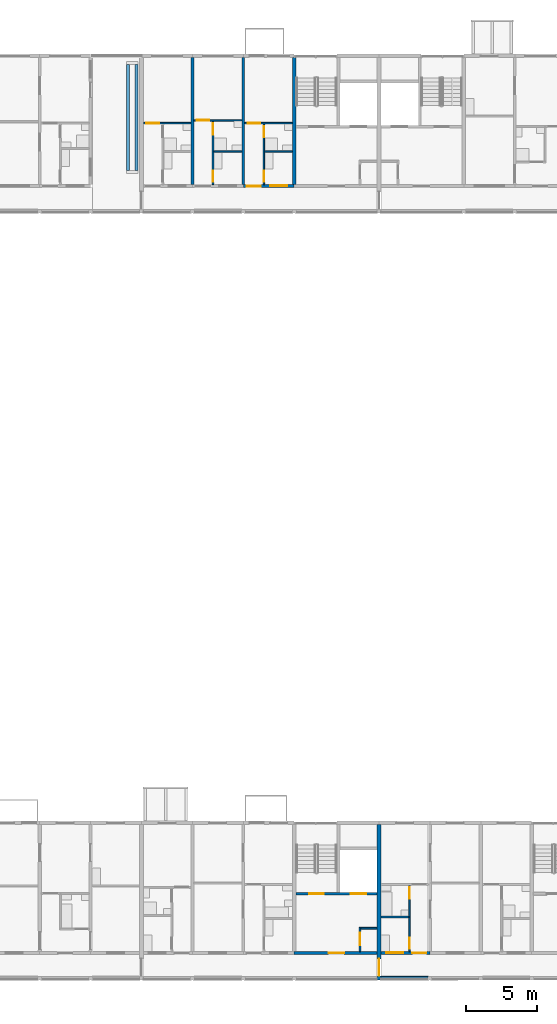
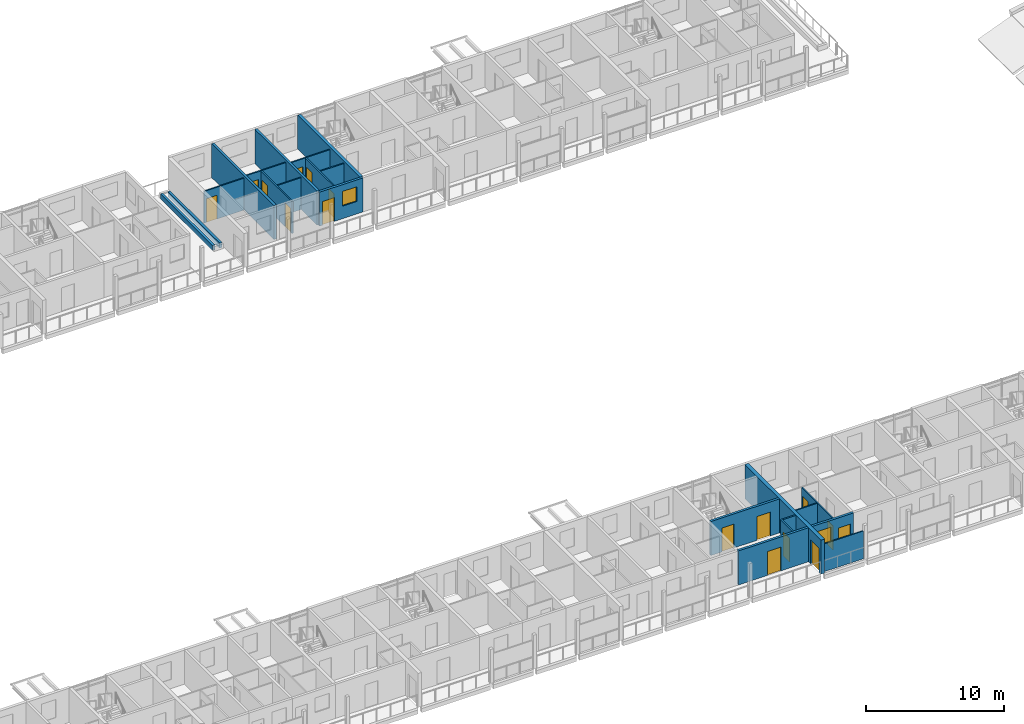
# One storey, part 37 of 93: 22 walls, 16 doors, 2 windows, 18 openings.
"""IFC4 building model written with IfcOpenShell, lengths in metres."""

import ifcopenshell
import ifcopenshell.guid

model = None  # the IFC model being written
_history = None  # IfcOwnerHistory: only IFC2X3 demands one
_inside = {}  # id of a spatial element -> (the spatial element, [elements in it])
_under = {}  # id of a project, library or spatial element -> (it, [spatial elements below it])
_declared = {}  # id of a project -> (the project, [libraries it declares])
_typed = {}  # id of a type object -> (the type object, [elements of that type])
_made_of = {}  # id of a material, layer set ... -> (it, [elements and type objects made of it])


def new_model(schema):
    """Start an empty IFC model of exactly this schema.

    Asked for "IFC4X3", IfcOpenShell would pick the latest addendum, in which some entities
    have other attributes; the version numbers below select the first issue.
    IFC2X3 requires an IfcOwnerHistory on every rooted entity: one is made here for all.
    """
    global model, _history
    if schema == "IFC4X3":
        model = ifcopenshell.file(schema_version=(4, 3, 0, 0))
    else:
        model = ifcopenshell.file(schema=schema)
    _inside.clear()
    _under.clear()
    _declared.clear()
    _typed.clear()
    _made_of.clear()
    _history = None
    if model.schema == "IFC2X3":
        org = make("IfcOrganization", Name="unknown")
        user = make(
            "IfcPersonAndOrganization",
            ThePerson=make("IfcPerson", FamilyName="unknown"),
            TheOrganization=org,
        )
        app = make(
            "IfcApplication",
            ApplicationDeveloper=org,
            Version="unknown",
            ApplicationFullName="unknown",
            ApplicationIdentifier="unknown",
        )
        _history = make(
            "IfcOwnerHistory",
            OwningUser=user,
            OwningApplication=app,
            ChangeAction="ADDED",
            CreationDate=0,
        )
    return model


def make(cls, **values):
    """One entity of the class cls with the attributes given. An attribute that is None is left unset."""
    return model.create_entity(
        cls, **{name: value for name, value in values.items() if value is not None}
    )


def rooted(cls, **values):
    """An entity with a GlobalId (a new one), such as an element, a storey or a relation."""
    return make(cls, GlobalId=ifcopenshell.guid.new(), OwnerHistory=_history, **values)


def si_unit(unit_type, name, prefix=None):
    """IfcSIUnit, for example si_unit("LENGTHUNIT", "METRE", prefix="MILLI")."""
    return make("IfcSIUnit", UnitType=unit_type, Prefix=prefix, Name=name)


def assignment(units):
    """IfcUnitAssignment: the units of a project."""
    return None if units is None else make("IfcUnitAssignment", Units=units)


def point(xyz):
    """IfcCartesianPoint."""
    return None if xyz is None else make("IfcCartesianPoint", Coordinates=xyz)


def direction(xyz):
    """IfcDirection."""
    return None if xyz is None else make("IfcDirection", DirectionRatios=xyz)


def frame(location, z_axis=None, x_axis=None):
    """IfcAxis2Placement3D, a coordinate frame: its origin and axes. An axis left out is left unset."""
    return make(
        "IfcAxis2Placement3D",
        Location=point(location),
        Axis=direction(z_axis),
        RefDirection=direction(x_axis),
    )


def frame_2d(location, x_axis=None):
    """IfcAxis2Placement2D, a coordinate frame in the plane: its origin and x axis."""
    return make(
        "IfcAxis2Placement2D", Location=point(location), RefDirection=direction(x_axis)
    )


def origin():
    """The frame at (0, 0, 0) with its axes left unset."""
    return frame((0.0, 0.0, 0.0))


def place(relative_to, where):
    """IfcLocalPlacement: puts the frame where relative to a parent placement (None: the world)."""
    return make(
        "IfcLocalPlacement", PlacementRelTo=relative_to, RelativePlacement=where
    )


def context(
    kind, dimensions, precision=None, world=None, true_north=None, identifier=None
):
    """IfcGeometricRepresentationContext, for example the 3D "Model" context."""
    return make(
        "IfcGeometricRepresentationContext",
        ContextIdentifier=identifier,
        ContextType=kind,
        CoordinateSpaceDimension=dimensions,
        Precision=precision,
        WorldCoordinateSystem=world,
        TrueNorth=true_north,
    )


def subcontext(parent, identifier, kind, view, scale=None):
    """IfcGeometricRepresentationSubContext, for example "Body" below "Model"."""
    return make(
        "IfcGeometricRepresentationSubContext",
        ContextIdentifier=identifier,
        ContextType=kind,
        ParentContext=parent,
        TargetScale=scale,
        TargetView=view,
    )


def project(units=None, contexts=None):
    """IfcProject with its units and contexts."""
    return rooted(
        "IfcProject",
        Name="project",
        RepresentationContexts=contexts,
        UnitsInContext=assignment(units),
    )


def spatial(cls, under=None, at=None, **own):
    """A site, building, storey or space (cls), placed at a placement, below another one or the project."""
    s = rooted(cls, ObjectPlacement=at, **own)
    if under is not None:
        _under.setdefault(under.id(), (under, []))[1].append(s)
    return s


def profile(cls, at=None, kind="AREA", **sizes):
    """A parametric profile (cls). Its sizes go by their IFC names, for example OverallWidth=200.0."""
    return make(cls, ProfileType=kind, Position=at, **sizes)


def rectangle(**sizes):
    """IfcRectangleProfileDef."""
    return profile("IfcRectangleProfileDef", **sizes)


def extrude(swept, where, along, depth):
    """IfcExtrudedAreaSolid: the profile swept, set in the frame where, extruded along a direction by depth."""
    return make(
        "IfcExtrudedAreaSolid",
        SweptArea=swept,
        Position=where,
        ExtrudedDirection=direction(along),
        Depth=depth,
    )


def shape(context_of_items, identifier, shape_type, items):
    """IfcShapeRepresentation: the items that make up one representation, for example the "Body"."""
    return make(
        "IfcShapeRepresentation",
        ContextOfItems=context_of_items,
        RepresentationIdentifier=identifier,
        RepresentationType=shape_type,
        Items=items,
    )


def material(Name=None, Category=None):
    """IfcMaterial."""
    return make("IfcMaterial", Name=Name, Category=Category)


def layer(
    of_material, thickness, ventilated=None, Name=None, Category=None, Priority=None
):
    """IfcMaterialLayer: one layer of a wall or slab, of a material (None: an air gap)."""
    return make(
        "IfcMaterialLayer",
        Material=of_material,
        LayerThickness=thickness,
        IsVentilated=ventilated,
        Name=Name,
        Category=Category,
        Priority=Priority,
    )


def layer_set(layers, Name=None):
    """IfcMaterialLayerSet."""
    return make("IfcMaterialLayerSet", MaterialLayers=layers, LayerSetName=Name)


def made_of(thing, what):
    """Note that an element or type object is made of a material, layer set ...; save() writes the relation."""
    if what is not None:
        _made_of.setdefault(what.id(), (what, []))[1].append(thing)
    return thing


def type_object(cls, material=None, **own):
    """A type object (cls), such as IfcWallType, which elements share."""
    return made_of(rooted(cls, **own), material)


def element(
    cls,
    number,
    at=None,
    inside=None,
    cuts=None,
    type_object=None,
    material=None,
    context=None,
    identifier="Body",
    shape_type=None,
    held_by="IfcProductDefinitionShape",
    body=None,
    shapes=None,
    **own,
):
    """One element of the class cls, such as IfcWall. Its Tag is "e" and its number.

    at: its placement. inside: the storey or other place that contains it. cuts: it is an
    opening in that element (IfcRelVoidsElement). A single representation is given by context,
    identifier, shape_type and body (its items); several are given by shapes. held_by: the class
    of the entity that holds the representations. save() writes the other relations.
    """
    e = rooted(cls, Tag="e%d" % number, ObjectPlacement=at, **own)
    if body is not None:
        shapes = [shape(context, identifier, shape_type, body)]
    if shapes is not None:
        e.Representation = make(held_by, Representations=shapes)
    if inside is not None:
        _inside.setdefault(inside.id(), (inside, []))[1].append(e)
    if cuts is not None:
        rooted(
            "IfcRelVoidsElement", RelatingBuildingElement=cuts, RelatedOpeningElement=e
        )
    if type_object is not None:
        _typed.setdefault(type_object.id(), (type_object, []))[1].append(e)
    return made_of(e, material)


def fill(opening, filler):
    """IfcRelFillsElement: the door or window that sits in an opening."""
    return rooted(
        "IfcRelFillsElement",
        RelatingOpeningElement=opening,
        RelatedBuildingElement=filler,
    )


def aggregate(whole, parts):
    """IfcRelAggregates: a whole, such as a stair, and the parts it consists of."""
    return rooted("IfcRelAggregates", RelatingObject=whole, RelatedObjects=parts)


def save(model, path):
    """Write the relations noted so far, then the file.

    IfcRelAggregates (storeys below a building ...), IfcRelContainedInSpatialStructure (elements
    in a storey), IfcRelDefinesByType, IfcRelAssociatesMaterial and IfcRelDeclares: one each for
    every whole, place, type object, material and project.
    """
    for whole, parts in _under.values():
        aggregate(whole, parts)
    for where, things in _inside.values():
        rooted(
            "IfcRelContainedInSpatialStructure",
            RelatedElements=things,
            RelatingStructure=where,
        )
    for kind, things in _typed.values():
        rooted("IfcRelDefinesByType", RelatedObjects=things, RelatingType=kind)
    for what, things in _made_of.values():
        rooted("IfcRelAssociatesMaterial", RelatedObjects=things, RelatingMaterial=what)
    for by, libraries in _declared.values():
        rooted("IfcRelDeclares", RelatingContext=by, RelatedDefinitions=libraries)
    model.write(path)


model = new_model("IFC4")

# Units and contexts
model_context = context("Model", 3, precision=1e-05, world=origin(), true_north=direction((0.0, 1.0)))
body_context = subcontext(model_context, "Body", "Model", "MODEL_VIEW")
ifc_project = project(units=[si_unit("LENGTHUNIT", "METRE"), si_unit("AREAUNIT", "SQUARE_METRE"), si_unit("VOLUMEUNIT", "CUBIC_METRE"), si_unit("PLANEANGLEUNIT", "RADIAN"), si_unit("MASSUNIT", "GRAM", prefix="KILO")], contexts=[model_context])

# Site, building, storey
site_placement = place(None, origin())
site = spatial("IfcSite", under=ifc_project, at=site_placement, CompositionType="ELEMENT")
building_placement = place(site_placement, origin())
building = spatial("IfcBuilding", under=site, at=building_placement, Name="Ridgestep Commons", CompositionType="ELEMENT")
storey_placement = place(building_placement, frame((0.0, 0.0, 18.0)))
storey = spatial("IfcBuildingStorey", under=building, at=storey_placement, Name="L06", CompositionType="ELEMENT", Elevation=18.0)

# Wall
ifc_material_1 = material(Name="Concrete C30/37", Category="concrete")
ifc_layer_1 = layer(ifc_material_1, 0.25)
ifc_layer_set_1 = layer_set([ifc_layer_1], Name="Core cross wall 250")
wall_type_1 = type_object("IfcWallType", Name="Core cross wall 250", PredefinedType="SHEAR", material=ifc_layer_set_1)
wall_1_placement = place(storey_placement, frame((73.199951171875, 68.0, 0.0), z_axis=(0.0, 0.0, 1.0), x_axis=(0.0, 1.0, 0.0)))
element("IfcWall", 1, at=wall_1_placement, inside=storey, type_object=wall_type_1, Name="Cross wall B-06-0732", PredefinedType="SHEAR", context=body_context, shape_type="SweptSolid", body=[
    extrude(rectangle(XDim=9.0, YDim=0.25, at=frame_2d((4.5, 0.0))), origin(), (0.0, 0.0, 1.0), 3.0),
])

# Wall, opening, door
ifc_material_2 = material(Name="Concrete C30/37", Category="concrete")
ifc_layer_2 = layer(ifc_material_2, 0.199951171875)
ifc_layer_set_2 = layer_set([ifc_layer_2], Name="Core south wall 200")
wall_type_2 = type_object("IfcWallType", Name="Core south wall 200", PredefinedType="SHEAR", material=ifc_layer_set_2)
wall_2_placement = place(storey_placement, frame((73.199951171875, 13.64990234375, 0.0), z_axis=(0.0, 0.0, 1.0), x_axis=(1.0, 0.0, 0.0)))
wall_2 = element("IfcWall", 2, at=wall_2_placement, inside=storey, type_object=wall_type_2, Name="Core south wall A4C L06", PredefinedType="SHEAR", context=body_context, shape_type="SweptSolid", body=[
    extrude(rectangle(XDim=5.85009765625, YDim=0.199951171875, at=frame_2d((2.925048828125, 0.0))), origin(), (0.0, 0.0, 1.0), 3.0),
])
opening_1_placement = place(wall_2_placement, frame((2.4375, 0.0, 0.0)))
opening_1 = element("IfcOpeningElement", 3, at=opening_1_placement, cuts=wall_2, Name="Opening A4C/06/1", PredefinedType="OPENING", context=body_context, shape_type="SweptSolid", body=[
    extrude(rectangle(XDim=1.10009765625, YDim=2.10009765625, at=frame_2d((0.550048828125, 1.050048828125))), frame((0.0, 0.10986328125, 0.0), z_axis=(0.0, -1.0, 0.0), x_axis=(1.0, 0.0, 0.0)), (0.0, 0.0, 1.0), 0.219970703125),
])
ifc_material_3 = material(Name="Steel fire door", Category="steel")
door_type_1 = type_object("IfcDoorType", Name="Lobby door 1100 x 2100 FD60", OperationType="NOTDEFINED", PredefinedType="DOOR", material=ifc_material_3)
door_1_placement = place(opening_1_placement, origin())
door_1 = element("IfcDoor", 4, at=door_1_placement, inside=storey, type_object=door_type_1, Name="Lobby door A4C/06/1", OperationType="SINGLE_SWING_LEFT", OverallHeight=2.10009765625, OverallWidth=1.10009765625, PredefinedType="DOOR", context=body_context, shape_type="SweptSolid", body=[
    extrude(rectangle(XDim=1.10009765625, YDim=2.10009765625, at=frame_2d((0.550048828125, 1.050048828125))), frame((0.0, 0.02490234375, 0.0), z_axis=(0.0, -1.0, 0.0), x_axis=(1.0, 0.0, 0.0)), (0.0, 0.0, 1.0), 0.050048828125),
])
fill(opening_1, door_1)

ifc_material_4 = material(Name="Concrete C30/37", Category="concrete")
ifc_layer_3 = layer(ifc_material_4, 0.1201171875)
ifc_layer_set_3 = layer_set([ifc_layer_3], Name="Core wall 120")
wall_type_3 = type_object("IfcWallType", Name="Core wall 120", PredefinedType="SHEAR", material=ifc_layer_set_3)
wall_3_placement = place(storey_placement, frame((77.860107421875, 13.75, 0.0), z_axis=(0.0, 0.0, 1.0), x_axis=(0.0, 1.0, 0.0)))
wall_3 = element("IfcWall", 5, at=wall_3_placement, inside=storey, type_object=wall_type_3, Name="Core riser w wall A4C L06", PredefinedType="SHEAR", context=body_context, shape_type="SweptSolid", body=[
    extrude(rectangle(XDim=1.719970703125, YDim=0.1201171875, at=frame_2d((0.85986328125, 0.0))), origin(), (0.0, 0.0, 1.0), 3.0),
])
opening_2_placement = place(wall_3_placement, frame((0.449951171875, 0.0, 0.0)))
opening_2 = element("IfcOpeningElement", 6, at=opening_2_placement, cuts=wall_3, Name="Opening A4C/06/4", PredefinedType="OPENING", context=body_context, shape_type="SweptSolid", body=[
    extrude(rectangle(XDim=0.89990234375, YDim=2.10009765625, at=frame_2d((0.449951171875, 1.050048828125))), frame((0.0, 0.070068359375, 0.0), z_axis=(0.0, -1.0, 0.0), x_axis=(1.0, 0.0, 0.0)), (0.0, 0.0, 1.0), 0.14013671875),
])
ifc_material_5 = material(Name="Steel fire door", Category="steel")
door_type_2 = type_object("IfcDoorType", Name="Riser door 900 x 2100 FD60", OperationType="NOTDEFINED", PredefinedType="DOOR", material=ifc_material_5)
door_2_placement = place(opening_2_placement, origin())
door_2 = element("IfcDoor", 7, at=door_2_placement, inside=storey, type_object=door_type_2, Name="Riser door A4C/06/4", OperationType="SINGLE_SWING_LEFT", OverallHeight=2.10009765625, OverallWidth=0.89990234375, PredefinedType="DOOR", context=body_context, shape_type="SweptSolid", body=[
    extrude(rectangle(XDim=0.89990234375, YDim=2.10009765625, at=frame_2d((0.449951171875, 1.050048828125))), frame((0.0, 0.02490234375, 0.0), z_axis=(0.0, -1.0, 0.0), x_axis=(1.0, 0.0, 0.0)), (0.0, 0.0, 1.0), 0.050048828125),
])
fill(opening_2, door_2)

# Wall
wall_4_placement = place(storey_placement, frame((77.919921875, 15.409912109375, 0.0), z_axis=(0.0, 0.0, 1.0), x_axis=(1.0, 0.0, 0.0)))
element("IfcWall", 8, at=wall_4_placement, inside=storey, type_object=wall_type_3, Name="Core riser n wall A4C L06", PredefinedType="SHEAR", context=body_context, shape_type="SweptSolid", body=[
    extrude(rectangle(XDim=1.130126953125, YDim=0.1201171875, at=frame_2d((0.56494140625, 0.0))), origin(), (0.0, 0.0, 1.0), 3.0),
])

# Wall, openings, doors
ifc_material_6 = material(Name="Concrete C30/37", Category="concrete")
ifc_layer_4 = layer(ifc_material_6, 0.199951171875)
ifc_layer_set_4 = layer_set([ifc_layer_4], Name="Core wall 200")
wall_type_4 = type_object("IfcWallType", Name="Core wall 200", PredefinedType="SHEAR", material=ifc_layer_set_4)
wall_5_placement = place(storey_placement, frame((73.324951171875, 17.85009765625, 0.0), z_axis=(0.0, 0.0, 1.0), x_axis=(1.0, 0.0, 0.0)))
wall_5 = element("IfcWall", 9, at=wall_5_placement, inside=storey, type_object=wall_type_4, Name="Core lobby wall A4C L06", PredefinedType="SHEAR", context=body_context, shape_type="SweptSolid", body=[
    extrude(rectangle(XDim=5.72509765625, YDim=0.199951171875, at=frame_2d((2.862548828125, 0.0))), origin(), (0.0, 0.0, 1.0), 3.0),
])
opening_3_placement = place(wall_5_placement, frame((0.949951171875, 0.0, 0.0)))
opening_3 = element("IfcOpeningElement", 10, at=opening_3_placement, cuts=wall_5, Name="Opening A4C/06/2", PredefinedType="OPENING", context=body_context, shape_type="SweptSolid", body=[
    extrude(rectangle(XDim=1.0, YDim=2.10009765625, at=frame_2d((0.5, 1.050048828125))), frame((0.0, 0.10986328125, 0.0), z_axis=(0.0, -1.0, 0.0), x_axis=(1.0, 0.0, 0.0)), (0.0, 0.0, 1.0), 0.219970703125),
])
opening_4_placement = place(wall_5_placement, frame((3.862548828125, 0.0, 0.0)))
opening_4 = element("IfcOpeningElement", 11, at=opening_4_placement, cuts=wall_5, Name="Opening A4C/06/3", PredefinedType="OPENING", context=body_context, shape_type="SweptSolid", body=[
    extrude(rectangle(XDim=1.10009765625, YDim=2.10009765625, at=frame_2d((0.550048828125, 1.050048828125))), frame((0.0, 0.10986328125, 0.0), z_axis=(0.0, -1.0, 0.0), x_axis=(1.0, 0.0, 0.0)), (0.0, 0.0, 1.0), 0.219970703125),
])
ifc_material_7 = material(Name="Stainless steel", Category="steel")
door_type_3 = type_object("IfcDoorType", Name="Lift landing door 1100 x 2100 FD60", OperationType="DOUBLE_DOOR_SLIDING", PredefinedType="DOOR", material=ifc_material_7)
door_3_placement = place(opening_4_placement, origin())
door_3 = element("IfcDoor", 12, at=door_3_placement, inside=storey, type_object=door_type_3, Name="Landing door LD A4C L06", OperationType="DOUBLE_DOOR_SLIDING", OverallHeight=2.10009765625, OverallWidth=1.10009765625, PredefinedType="DOOR", context=body_context, shape_type="SweptSolid", body=[
    extrude(rectangle(XDim=1.10009765625, YDim=2.10009765625, at=frame_2d((0.550048828125, 1.050048828125))), frame((0.0, 0.02490234375, 0.0), z_axis=(0.0, -1.0, 0.0), x_axis=(1.0, 0.0, 0.0)), (0.0, 0.0, 1.0), 0.050048828125),
])
fill(opening_4, door_3)
ifc_material_8 = material(Name="Steel fire door", Category="steel")
door_type_4 = type_object("IfcDoorType", Name="Stair door 1000 x 2100 FD60", OperationType="NOTDEFINED", PredefinedType="DOOR", material=ifc_material_8)
door_4_placement = place(opening_3_placement, origin())
door_4 = element("IfcDoor", 13, at=door_4_placement, inside=storey, type_object=door_type_4, Name="Stair door A4C/06/2", OperationType="SINGLE_SWING_RIGHT", OverallHeight=2.10009765625, OverallWidth=1.0, PredefinedType="DOOR", context=body_context, shape_type="SweptSolid", body=[
    extrude(rectangle(XDim=1.0, YDim=2.10009765625, at=frame_2d((0.5, 1.050048828125))), frame((0.0, 0.02490234375, 0.0), z_axis=(0.0, -1.0, 0.0), x_axis=(1.0, 0.0, 0.0)), (0.0, 0.0, 1.0), 0.050048828125),
])
fill(opening_3, door_4)

# Walls
ifc_material_9 = material(Name="Precast concrete C40/50", Category="concrete")
ifc_layer_5 = layer(ifc_material_9, 0.199951171875)
ifc_layer_set_5 = layer_set([ifc_layer_5], Name="Cross wall 200")
wall_type_5 = type_object("IfcWallType", Name="Cross wall 200", PredefinedType="SHEAR", material=ifc_layer_set_5)
for number, where, z_axis, x_axis, name in (
    (14, (66.0, 68.0, 0.0), (0.0, 0.0, 1.0), (0.0, 1.0, 0.0), "Cross wall B-06-0660"),
    (15, (69.60009765625, 68.0, 0.0), (0.0, 0.0, 1.0), (0.0, 1.0, 0.0), "Cross wall B-06-0696"),
):
    element("IfcWall", number, at=place(storey_placement, frame(where, z_axis=z_axis, x_axis=x_axis)), inside=storey, type_object=wall_type_5, Name=name, PredefinedType="SHEAR", context=body_context, shape_type="SweptSolid", body=[
        extrude(rectangle(XDim=9.0, YDim=0.199951171875, at=frame_2d((4.5, 0.0))), origin(), (0.0, 0.0, 1.0), 3.0),
    ])

# Wall, opening, door
ifc_material_10 = material(Name="Precast concrete C40/50", Category="concrete")
ifc_layer_6 = layer(ifc_material_10, 0.300048828125)
ifc_layer_set_6 = layer_set([ifc_layer_6], Name="Division wall 300")
wall_type_6 = type_object("IfcWallType", Name="Division wall 300", PredefinedType="SHEAR", material=ifc_layer_set_6)
wall_6_placement = place(storey_placement, frame((79.199951171875, 11.75, 0.0), z_axis=(0.0, 0.0, 1.0), x_axis=(0.0, 1.0, 0.0)))
wall_6 = element("IfcWall", 16, at=wall_6_placement, inside=storey, type_object=wall_type_6, Name="Cross wall A-06-0792", PredefinedType="SHEAR", context=body_context, shape_type="SweptSolid", body=[
    extrude(rectangle(XDim=11.0, YDim=0.300048828125, at=frame_2d((5.5, 0.0))), origin(), (0.0, 0.0, 1.0), 3.0),
])
opening_5_placement = place(wall_6_placement, frame((0.300048828125, 0.0, 0.0)))
opening_5 = element("IfcOpeningElement", 17, at=opening_5_placement, cuts=wall_6, Name="Opening A/06/G0792", PredefinedType="OPENING", context=body_context, shape_type="SweptSolid", body=[
    extrude(rectangle(XDim=1.199951171875, YDim=2.10009765625, at=frame_2d((0.60009765625, 1.050048828125))), frame((0.0, 0.159912109375, 0.0), z_axis=(0.0, -1.0, 0.0), x_axis=(1.0, 0.0, 0.0)), (0.0, 0.0, 1.0), 0.320068359375),
])
ifc_material_11 = material(Name="Steel fire door", Category="steel")
door_type_5 = type_object("IfcDoorType", Name="Division fire door 1200 x 2100 EI 240", OperationType="DOUBLE_DOOR_SINGLE_SWING", PredefinedType="DOOR", material=ifc_material_11)
door_5_placement = place(opening_5_placement, origin())
door_5 = element("IfcDoor", 18, at=door_5_placement, inside=storey, type_object=door_type_5, Name="Division fire door A/06/G0792", OperationType="DOUBLE_DOOR_SINGLE_SWING", OverallHeight=2.10009765625, OverallWidth=1.199951171875, PredefinedType="DOOR", context=body_context, shape_type="SweptSolid", body=[
    extrude(rectangle(XDim=1.199951171875, YDim=2.10009765625, at=frame_2d((0.60009765625, 1.050048828125))), frame((0.0, 0.02490234375, 0.0), z_axis=(0.0, -1.0, 0.0), x_axis=(1.0, 0.0, 0.0)), (0.0, 0.0, 1.0), 0.050048828125),
])
fill(opening_5, door_5)

# Wall
ifc_material_12 = material(Name="Common brick 110 mm", Category="masonry")
ifc_layer_7 = layer(ifc_material_12, 0.110107421875)
ifc_layer_set_7 = layer_set([ifc_layer_7], Name="Partition 110")
wall_type_7 = type_object("IfcWallType", Name="Partition 110", PredefinedType="PARTITIONING", material=ifc_layer_set_7)
wall_7_placement = place(storey_placement, frame((79.35009765625, 16.205078125, 0.0), z_axis=(0.0, 0.0, 1.0), x_axis=(1.0, 0.0, 0.0)))
element("IfcWall", 19, at=wall_7_placement, inside=storey, type_object=wall_type_7, Name="Partition A5-06a", PredefinedType="PARTITIONING", context=body_context, shape_type="SweptSolid", body=[
    extrude(rectangle(XDim=1.93994140625, YDim=0.110107421875, at=frame_2d((0.969970703125, 0.0))), origin(), (0.0, 0.0, 1.0), 2.800048828125),
])

# Wall, openings, doors
wall_8_placement = place(storey_placement, frame((81.344970703125, 13.75, 0.0), z_axis=(0.0, 0.0, 1.0), x_axis=(0.0, 1.0, 0.0)))
wall_8 = element("IfcWall", 20, at=wall_8_placement, inside=storey, type_object=wall_type_7, Name="Partition A5-06a", PredefinedType="PARTITIONING", context=body_context, shape_type="SweptSolid", body=[
    extrude(rectangle(XDim=4.699951171875, YDim=0.110107421875, at=frame_2d((2.35009765625, 0.0))), origin(), (0.0, 0.0, 1.0), 2.800048828125),
])
opening_6_placement = place(wall_8_placement, frame((0.199951171875, 0.0, 0.0)))
opening_6 = element("IfcOpeningElement", 21, at=opening_6_placement, cuts=wall_8, Name="Opening A5-06a/2", PredefinedType="OPENING", context=body_context, shape_type="SweptSolid", body=[
    extrude(rectangle(XDim=0.800048828125, YDim=2.10009765625, at=frame_2d((0.39990234375, 1.050048828125))), frame((0.0, 0.06494140625, 0.0), z_axis=(0.0, -1.0, 0.0), x_axis=(1.0, 0.0, 0.0)), (0.0, 0.0, 1.0), 0.130126953125),
])
opening_7_placement = place(wall_8_placement, frame((3.75, 0.0, 0.0)))
opening_7 = element("IfcOpeningElement", 22, at=opening_7_placement, cuts=wall_8, Name="Opening A5-06a/3", PredefinedType="OPENING", context=body_context, shape_type="SweptSolid", body=[
    extrude(rectangle(XDim=0.800048828125, YDim=2.10009765625, at=frame_2d((0.39990234375, 1.050048828125))), frame((0.0, 0.06494140625, 0.0), z_axis=(0.0, -1.0, 0.0), x_axis=(1.0, 0.0, 0.0)), (0.0, 0.0, 1.0), 0.130126953125),
])
ifc_material_13 = material(Name="Timber door leaf", Category="wood")
door_type_6 = type_object("IfcDoorType", Name="Internal door 800 x 2100", OperationType="NOTDEFINED", PredefinedType="DOOR", material=ifc_material_13)
door_6_placement = place(opening_6_placement, origin())
door_6 = element("IfcDoor", 23, at=door_6_placement, inside=storey, type_object=door_type_6, Name="Internal door A5-06a/2", OperationType="SINGLE_SWING_LEFT", OverallHeight=2.10009765625, OverallWidth=0.800048828125, PredefinedType="DOOR", context=body_context, shape_type="SweptSolid", body=[
    extrude(rectangle(XDim=0.800048828125, YDim=2.10009765625, at=frame_2d((0.39990234375, 1.050048828125))), frame((0.0, 0.02490234375, 0.0), z_axis=(0.0, -1.0, 0.0), x_axis=(1.0, 0.0, 0.0)), (0.0, 0.0, 1.0), 0.050048828125),
])
fill(opening_6, door_6)
door_7_placement = place(opening_7_placement, origin())
door_7 = element("IfcDoor", 24, at=door_7_placement, inside=storey, type_object=door_type_6, Name="Internal door A5-06a/3", OperationType="SINGLE_SWING_RIGHT", OverallHeight=2.10009765625, OverallWidth=0.800048828125, PredefinedType="DOOR", context=body_context, shape_type="SweptSolid", body=[
    extrude(rectangle(XDim=0.800048828125, YDim=2.10009765625, at=frame_2d((0.39990234375, 1.050048828125))), frame((0.0, 0.02490234375, 0.0), z_axis=(0.0, -1.0, 0.0), x_axis=(1.0, 0.0, 0.0)), (0.0, 0.0, 1.0), 0.050048828125),
])
fill(opening_7, door_7)

# Wall, opening, door
wall_9_placement = place(storey_placement, frame((62.550048828125, 72.35498046875, 0.0), z_axis=(0.0, 0.0, 1.0), x_axis=(1.0, 0.0, 0.0)))
wall_9 = element("IfcWall", 25, at=wall_9_placement, inside=storey, type_object=wall_type_7, Name="Partition B4-06a", PredefinedType="PARTITIONING", context=body_context, shape_type="SweptSolid", body=[
    extrude(rectangle(XDim=3.349853515625, YDim=0.110107421875, at=frame_2d((1.6748046875, 0.0))), origin(), (0.0, 0.0, 1.0), 2.800048828125),
])
opening_8_placement = place(wall_9_placement, frame((0.199951171875, 0.0, 0.0)))
opening_8 = element("IfcOpeningElement", 26, at=opening_8_placement, cuts=wall_9, Name="Opening B4-06a/4", PredefinedType="OPENING", context=body_context, shape_type="SweptSolid", body=[
    extrude(rectangle(XDim=0.89990234375, YDim=2.10009765625, at=frame_2d((0.449951171875, 1.050048828125))), frame((0.0, 0.06494140625, 0.0), z_axis=(0.0, -1.0, 0.0), x_axis=(1.0, 0.0, 0.0)), (0.0, 0.0, 1.0), 0.130126953125),
])
ifc_material_14 = material(Name="Timber door leaf", Category="wood")
door_type_7 = type_object("IfcDoorType", Name="Internal door 900 x 2100", OperationType="NOTDEFINED", PredefinedType="DOOR", material=ifc_material_14)
door_8_placement = place(opening_8_placement, origin())
door_8 = element("IfcDoor", 27, at=door_8_placement, inside=storey, type_object=door_type_7, Name="Internal door B4-06a/4", OperationType="SINGLE_SWING_LEFT", OverallHeight=2.10009765625, OverallWidth=0.89990234375, PredefinedType="DOOR", context=body_context, shape_type="SweptSolid", body=[
    extrude(rectangle(XDim=0.89990234375, YDim=2.10009765625, at=frame_2d((0.449951171875, 1.050048828125))), frame((0.0, 0.02490234375, 0.0), z_axis=(0.0, -1.0, 0.0), x_axis=(1.0, 0.0, 0.0)), (0.0, 0.0, 1.0), 0.050048828125),
])
fill(opening_8, door_8)

# Wall, openings, doors
wall_10_placement = place(storey_placement, frame((67.455078125, 68.0, 0.0), z_axis=(0.0, 0.0, 1.0), x_axis=(0.0, 1.0, 0.0)))
wall_10 = element("IfcWall", 28, at=wall_10_placement, inside=storey, type_object=wall_type_7, Name="Partition B4-06b", PredefinedType="PARTITIONING", context=body_context, shape_type="SweptSolid", body=[
    extrude(rectangle(XDim=4.5, YDim=0.110107421875, at=frame_2d((2.25, 0.0))), origin(), (0.0, 0.0, 1.0), 2.800048828125),
])
opening_9_placement = place(wall_10_placement, frame((0.199951171875, 0.0, 0.0)))
opening_9 = element("IfcOpeningElement", 29, at=opening_9_placement, cuts=wall_10, Name="Opening B4-06b/2", PredefinedType="OPENING", context=body_context, shape_type="SweptSolid", body=[
    extrude(rectangle(XDim=0.800048828125, YDim=2.10009765625, at=frame_2d((0.39990234375, 1.050048828125))), frame((0.0, 0.06494140625, 0.0), z_axis=(0.0, -1.0, 0.0), x_axis=(1.0, 0.0, 0.0)), (0.0, 0.0, 1.0), 0.130126953125),
])
opening_10_placement = place(wall_10_placement, frame((3.550048828125, 0.0, 0.0)))
opening_10 = element("IfcOpeningElement", 30, at=opening_10_placement, cuts=wall_10, Name="Opening B4-06b/3", PredefinedType="OPENING", context=body_context, shape_type="SweptSolid", body=[
    extrude(rectangle(XDim=0.800048828125, YDim=2.10009765625, at=frame_2d((0.39990234375, 1.050048828125))), frame((0.0, 0.06494140625, 0.0), z_axis=(0.0, -1.0, 0.0), x_axis=(1.0, 0.0, 0.0)), (0.0, 0.0, 1.0), 0.130126953125),
])
door_9_placement = place(opening_9_placement, origin())
door_9 = element("IfcDoor", 31, at=door_9_placement, inside=storey, type_object=door_type_6, Name="Internal door B4-06b/2", OperationType="SINGLE_SWING_RIGHT", OverallHeight=2.10009765625, OverallWidth=0.800048828125, PredefinedType="DOOR", context=body_context, shape_type="SweptSolid", body=[
    extrude(rectangle(XDim=0.800048828125, YDim=2.10009765625, at=frame_2d((0.39990234375, 1.050048828125))), frame((0.0, 0.02490234375, 0.0), z_axis=(0.0, -1.0, 0.0), x_axis=(1.0, 0.0, 0.0)), (0.0, 0.0, 1.0), 0.050048828125),
])
fill(opening_9, door_9)
door_10_placement = place(opening_10_placement, origin())
door_10 = element("IfcDoor", 32, at=door_10_placement, inside=storey, type_object=door_type_6, Name="Internal door B4-06b/3", OperationType="SINGLE_SWING_LEFT", OverallHeight=2.10009765625, OverallWidth=0.800048828125, PredefinedType="DOOR", context=body_context, shape_type="SweptSolid", body=[
    extrude(rectangle(XDim=0.800048828125, YDim=2.10009765625, at=frame_2d((0.39990234375, 1.050048828125))), frame((0.0, 0.02490234375, 0.0), z_axis=(0.0, -1.0, 0.0), x_axis=(1.0, 0.0, 0.0)), (0.0, 0.0, 1.0), 0.050048828125),
])
fill(opening_10, door_10)

# Wall
wall_11_placement = place(storey_placement, frame((67.510009765625, 70.35498046875, 0.0), z_axis=(0.0, 0.0, 1.0), x_axis=(1.0, 0.0, 0.0)))
element("IfcWall", 33, at=wall_11_placement, inside=storey, type_object=wall_type_7, Name="Partition B4-06b", PredefinedType="PARTITIONING", context=body_context, shape_type="SweptSolid", body=[
    extrude(rectangle(XDim=1.989990234375, YDim=0.110107421875, at=frame_2d((0.9951171875, 0.0))), origin(), (0.0, 0.0, 1.0), 2.800048828125),
])

# Wall, opening, door
wall_12_placement = place(storey_placement, frame((66.10009765625, 72.554931640625, 0.0), z_axis=(0.0, 0.0, 1.0), x_axis=(1.0, 0.0, 0.0)))
wall_12 = element("IfcWall", 34, at=wall_12_placement, inside=storey, type_object=wall_type_7, Name="Partition B4-06b", PredefinedType="PARTITIONING", context=body_context, shape_type="SweptSolid", body=[
    extrude(rectangle(XDim=3.39990234375, YDim=0.110107421875, at=frame_2d((1.699951171875, 0.0))), origin(), (0.0, 0.0, 1.0), 2.800048828125),
])
opening_11_placement = place(wall_12_placement, frame((0.199951171875, 0.0, 0.0)))
opening_11 = element("IfcOpeningElement", 35, at=opening_11_placement, cuts=wall_12, Name="Opening B4-06b/4", PredefinedType="OPENING", context=body_context, shape_type="SweptSolid", body=[
    extrude(rectangle(XDim=0.89990234375, YDim=2.10009765625, at=frame_2d((0.449951171875, 1.050048828125))), frame((0.0, 0.06494140625, 0.0), z_axis=(0.0, -1.0, 0.0), x_axis=(1.0, 0.0, 0.0)), (0.0, 0.0, 1.0), 0.130126953125),
])
door_11_placement = place(opening_11_placement, origin())
door_11 = element("IfcDoor", 36, at=door_11_placement, inside=storey, type_object=door_type_7, Name="Internal door B4-06b/4", OperationType="SINGLE_SWING_RIGHT", OverallHeight=2.10009765625, OverallWidth=0.89990234375, PredefinedType="DOOR", context=body_context, shape_type="SweptSolid", body=[
    extrude(rectangle(XDim=0.89990234375, YDim=2.10009765625, at=frame_2d((0.449951171875, 1.050048828125))), frame((0.0, 0.02490234375, 0.0), z_axis=(0.0, -1.0, 0.0), x_axis=(1.0, 0.0, 0.0)), (0.0, 0.0, 1.0), 0.050048828125),
])
fill(opening_11, door_11)

# Wall, openings, doors
wall_13_placement = place(storey_placement, frame((71.054931640625, 68.0, 0.0), z_axis=(0.0, 0.0, 1.0), x_axis=(0.0, 1.0, 0.0)))
wall_13 = element("IfcWall", 37, at=wall_13_placement, inside=storey, type_object=wall_type_7, Name="Partition B4-06c", PredefinedType="PARTITIONING", context=body_context, shape_type="SweptSolid", body=[
    extrude(rectangle(XDim=4.300048828125, YDim=0.110107421875, at=frame_2d((2.14990234375, 0.0))), origin(), (0.0, 0.0, 1.0), 2.800048828125),
])
opening_12_placement = place(wall_13_placement, frame((0.199951171875, 0.0, 0.0)))
opening_12 = element("IfcOpeningElement", 38, at=opening_12_placement, cuts=wall_13, Name="Opening B4-06c/2", PredefinedType="OPENING", context=body_context, shape_type="SweptSolid", body=[
    extrude(rectangle(XDim=0.800048828125, YDim=2.10009765625, at=frame_2d((0.39990234375, 1.050048828125))), frame((0.0, 0.06494140625, 0.0), z_axis=(0.0, -1.0, 0.0), x_axis=(1.0, 0.0, 0.0)), (0.0, 0.0, 1.0), 0.130126953125),
])
opening_13_placement = place(wall_13_placement, frame((3.35009765625, 0.0, 0.0)))
opening_13 = element("IfcOpeningElement", 39, at=opening_13_placement, cuts=wall_13, Name="Opening B4-06c/3", PredefinedType="OPENING", context=body_context, shape_type="SweptSolid", body=[
    extrude(rectangle(XDim=0.800048828125, YDim=2.10009765625, at=frame_2d((0.39990234375, 1.050048828125))), frame((0.0, 0.06494140625, 0.0), z_axis=(0.0, -1.0, 0.0), x_axis=(1.0, 0.0, 0.0)), (0.0, 0.0, 1.0), 0.130126953125),
])
door_12_placement = place(opening_12_placement, origin())
door_12 = element("IfcDoor", 40, at=door_12_placement, inside=storey, type_object=door_type_6, Name="Internal door B4-06c/2", OperationType="SINGLE_SWING_RIGHT", OverallHeight=2.10009765625, OverallWidth=0.800048828125, PredefinedType="DOOR", context=body_context, shape_type="SweptSolid", body=[
    extrude(rectangle(XDim=0.800048828125, YDim=2.10009765625, at=frame_2d((0.39990234375, 1.050048828125))), frame((0.0, 0.02490234375, 0.0), z_axis=(0.0, -1.0, 0.0), x_axis=(1.0, 0.0, 0.0)), (0.0, 0.0, 1.0), 0.050048828125),
])
fill(opening_12, door_12)
door_13_placement = place(opening_13_placement, origin())
door_13 = element("IfcDoor", 41, at=door_13_placement, inside=storey, type_object=door_type_6, Name="Internal door B4-06c/3", OperationType="SINGLE_SWING_LEFT", OverallHeight=2.10009765625, OverallWidth=0.800048828125, PredefinedType="DOOR", context=body_context, shape_type="SweptSolid", body=[
    extrude(rectangle(XDim=0.800048828125, YDim=2.10009765625, at=frame_2d((0.39990234375, 1.050048828125))), frame((0.0, 0.02490234375, 0.0), z_axis=(0.0, -1.0, 0.0), x_axis=(1.0, 0.0, 0.0)), (0.0, 0.0, 1.0), 0.050048828125),
])
fill(opening_13, door_13)

# Wall
wall_14_placement = place(storey_placement, frame((71.110107421875, 70.35498046875, 0.0), z_axis=(0.0, 0.0, 1.0), x_axis=(1.0, 0.0, 0.0)))
element("IfcWall", 42, at=wall_14_placement, inside=storey, type_object=wall_type_7, Name="Partition B4-06c", PredefinedType="PARTITIONING", context=body_context, shape_type="SweptSolid", body=[
    extrude(rectangle(XDim=1.96484375, YDim=0.110107421875, at=frame_2d((0.982421875, 0.0))), origin(), (0.0, 0.0, 1.0), 2.800048828125),
])

# Wall, opening, door
wall_15_placement = place(storey_placement, frame((69.699951171875, 72.35498046875, 0.0), z_axis=(0.0, 0.0, 1.0), x_axis=(1.0, 0.0, 0.0)))
wall_15 = element("IfcWall", 43, at=wall_15_placement, inside=storey, type_object=wall_type_7, Name="Partition B4-06c", PredefinedType="PARTITIONING", context=body_context, shape_type="SweptSolid", body=[
    extrude(rectangle(XDim=3.375, YDim=0.110107421875, at=frame_2d((1.6875, 0.0))), origin(), (0.0, 0.0, 1.0), 2.800048828125),
])
opening_14_placement = place(wall_15_placement, frame((0.199951171875, 0.0, 0.0)))
opening_14 = element("IfcOpeningElement", 44, at=opening_14_placement, cuts=wall_15, Name="Opening B4-06c/4", PredefinedType="OPENING", context=body_context, shape_type="SweptSolid", body=[
    extrude(rectangle(XDim=0.89990234375, YDim=2.10009765625, at=frame_2d((0.449951171875, 1.050048828125))), frame((0.0, 0.06494140625, 0.0), z_axis=(0.0, -1.0, 0.0), x_axis=(1.0, 0.0, 0.0)), (0.0, 0.0, 1.0), 0.130126953125),
])
door_14_placement = place(opening_14_placement, origin())
door_14 = element("IfcDoor", 45, at=door_14_placement, inside=storey, type_object=door_type_7, Name="Internal door B4-06c/4", OperationType="SINGLE_SWING_LEFT", OverallHeight=2.10009765625, OverallWidth=0.89990234375, PredefinedType="DOOR", context=body_context, shape_type="SweptSolid", body=[
    extrude(rectangle(XDim=0.89990234375, YDim=2.10009765625, at=frame_2d((0.449951171875, 1.050048828125))), frame((0.0, 0.02490234375, 0.0), z_axis=(0.0, -1.0, 0.0), x_axis=(1.0, 0.0, 0.0)), (0.0, 0.0, 1.0), 0.050048828125),
])
fill(opening_14, door_14)

# Walls
ifc_material_15 = material(Name="Precast concrete C30/37", Category="concrete")
ifc_layer_8 = layer(ifc_material_15, 0.10009765625)
ifc_layer_set_8 = layer_set([ifc_layer_8], Name="Perforated gallery screen 3325 x 2450 x 100")
wall_type_8 = type_object("IfcWallType", Name="Perforated gallery screen 3325 x 2450 x 100", PredefinedType="SOLIDWALL", material=ifc_layer_set_8)
wall_16_placement = place(storey_placement, frame((79.35009765625, 11.949951171875, 0.0), z_axis=(0.0, 0.0, 1.0), x_axis=(1.0, 0.0, 0.0)))
element("IfcWall", 46, at=wall_16_placement, inside=storey, type_object=wall_type_8, Name="Gallery screen A5T1 06", PredefinedType="SOLIDWALL", context=body_context, shape_type="SweptSolid", body=[
    extrude(rectangle(XDim=3.324951171875, YDim=0.10009765625, at=frame_2d((1.66259765625, 0.0))), origin(), (0.0, 0.0, 1.0), 2.449951171875),
])
ifc_material_16 = material(Name="Facing brick", Category="masonry")
ifc_layer_9 = layer(ifc_material_16, 0.199951171875)
ifc_layer_set_9 = layer_set([ifc_layer_9], Name="Planter wall 200")
wall_type_9 = type_object("IfcWallType", Name="Planter wall 200", PredefinedType="SOLIDWALL", material=ifc_layer_set_9)
for number, where, z_axis, x_axis, name in (
    (47, (61.449951171875, 69.0, 0.010009765625), (0.0, 0.0, 1.0), (0.0, 1.0, 0.0), "Planter wall B3R1W"),
    (48, (62.050048828125, 69.0, 0.010009765625), (0.0, 0.0, 1.0), (0.0, 1.0, 0.0), "Planter wall B3R1E"),
):
    element("IfcWall", number, at=place(storey_placement, frame(where, z_axis=z_axis, x_axis=x_axis)), inside=storey, type_object=wall_type_9, Name=name, PredefinedType="SOLIDWALL", context=body_context, shape_type="SweptSolid", body=[
        extrude(rectangle(XDim=7.5, YDim=0.199951171875, at=frame_2d((3.75, 0.0))), origin(), (0.0, 0.0, 1.0), 0.449951171875),
    ])

# Wall, openings, door, window
ifc_material_17 = material(Name="Precast concrete C40/50", Category="concrete")
ifc_layer_10 = layer(ifc_material_17, 0.199951171875)
ifc_layer_set_10 = layer_set([ifc_layer_10], Name="South facade panel 200")
wall_type_10 = type_object("IfcWallType", Name="South facade panel 200", PredefinedType="SOLIDWALL", material=ifc_layer_set_10)
wall_17_placement = place(storey_placement, frame((79.35009765625, 13.64990234375, 0.0), z_axis=(0.0, 0.0, 1.0), x_axis=(1.0, 0.0, 0.0)))
wall_17 = element("IfcWall", 49, at=wall_17_placement, inside=storey, type_object=wall_type_10, Name="South panel A5T1 L06", PredefinedType="SOLIDWALL", context=body_context, shape_type="SweptSolid", body=[
    extrude(rectangle(XDim=3.449951171875, YDim=0.199951171875, at=frame_2d((1.72509765625, 0.0))), origin(), (0.0, 0.0, 1.0), 3.0),
])
opening_15_placement = place(wall_17_placement, frame((0.3701171875, 0.0, 1.10009765625)))
opening_15 = element("IfcOpeningElement", 50, at=opening_15_placement, cuts=wall_17, Name="Opening W08", PredefinedType="OPENING", context=body_context, shape_type="SweptSolid", body=[
    extrude(rectangle(XDim=1.199951171875, YDim=1.300048828125, at=frame_2d((0.60009765625, 0.64990234375))), frame((0.0, 0.10986328125, 0.0), z_axis=(0.0, -1.0, 0.0), x_axis=(1.0, 0.0, 0.0)), (0.0, 0.0, 1.0), 0.219970703125),
])
opening_16_placement = place(wall_17_placement, frame((2.199951171875, 0.0, 0.0)))
opening_16 = element("IfcOpeningElement", 51, at=opening_16_placement, cuts=wall_17, Name="Opening A5-06a/1", PredefinedType="OPENING", context=body_context, shape_type="SweptSolid", body=[
    extrude(rectangle(XDim=1.0, YDim=2.10009765625, at=frame_2d((0.5, 1.050048828125))), frame((0.0, 0.10986328125, 0.0), z_axis=(0.0, -1.0, 0.0), x_axis=(1.0, 0.0, 0.0)), (0.0, 0.0, 1.0), 0.219970703125),
])
ifc_material_18 = material(Name="Timber door leaf", Category="wood")
door_type_8 = type_object("IfcDoorType", Name="Flat entrance door 1000 x 2100 FD30S", OperationType="NOTDEFINED", PredefinedType="DOOR", material=ifc_material_18)
door_15_placement = place(opening_16_placement, origin())
door_15 = element("IfcDoor", 52, at=door_15_placement, inside=storey, type_object=door_type_8, Name="Flat entrance door A5-06a/1", OperationType="SINGLE_SWING_RIGHT", OverallHeight=2.10009765625, OverallWidth=1.0, PredefinedType="DOOR", context=body_context, shape_type="SweptSolid", body=[
    extrude(rectangle(XDim=1.0, YDim=2.10009765625, at=frame_2d((0.5, 1.050048828125))), frame((0.0, 0.02490234375, 0.0), z_axis=(0.0, -1.0, 0.0), x_axis=(1.0, 0.0, 0.0)), (0.0, 0.0, 1.0), 0.050048828125),
])
fill(opening_16, door_15)
ifc_material_19 = material(Name="Aluminium 6063-T6 and glass", Category="aluminium")
window_type = type_object("IfcWindowType", Name="Flat window 1200 x 1300", PartitioningType="SINGLE_PANEL", PredefinedType="WINDOW", material=ifc_material_19)
window_1_placement = place(opening_15_placement, origin())
window_1 = element("IfcWindow", 53, at=window_1_placement, inside=storey, type_object=window_type, Name="Window A5-06a 3", OverallHeight=1.300048828125, OverallWidth=1.199951171875, PartitioningType="SINGLE_PANEL", PredefinedType="WINDOW", context=body_context, shape_type="SweptSolid", body=[
    extrude(rectangle(XDim=1.199951171875, YDim=1.300048828125, at=frame_2d((0.60009765625, 0.64990234375))), frame((0.0, 0.06005859375, 0.0), z_axis=(0.0, -1.0, 0.0), x_axis=(1.0, 0.0, 0.0)), (0.0, 0.0, 1.0), 0.06005859375),
])
fill(opening_15, window_1)

wall_18_placement = place(storey_placement, frame((69.60009765625, 67.89990234375, 0.0), z_axis=(0.0, 0.0, 1.0), x_axis=(1.0, 0.0, 0.0)))
wall_18 = element("IfcWall", 54, at=wall_18_placement, inside=storey, type_object=wall_type_10, Name="South panel B4T3 L06", PredefinedType="SOLIDWALL", context=body_context, shape_type="SweptSolid", body=[
    extrude(rectangle(XDim=3.599853515625, YDim=0.199951171875, at=frame_2d((1.7998046875, 0.0))), origin(), (0.0, 0.0, 1.0), 3.0),
])
opening_17_placement = place(wall_18_placement, frame((1.892578125, 0.0, 1.10009765625)))
opening_17 = element("IfcOpeningElement", 55, at=opening_17_placement, cuts=wall_18, Name="Opening W08", PredefinedType="OPENING", context=body_context, shape_type="SweptSolid", body=[
    extrude(rectangle(XDim=1.199951171875, YDim=1.300048828125, at=frame_2d((0.60009765625, 0.64990234375))), frame((0.0, 0.10986328125, 0.0), z_axis=(0.0, -1.0, 0.0), x_axis=(1.0, 0.0, 0.0)), (0.0, 0.0, 1.0), 0.219970703125),
])
opening_18_placement = place(wall_18_placement, frame((0.25, 0.0, 0.0)))
opening_18 = element("IfcOpeningElement", 56, at=opening_18_placement, cuts=wall_18, Name="Opening B4-06c/1", PredefinedType="OPENING", context=body_context, shape_type="SweptSolid", body=[
    extrude(rectangle(XDim=1.0, YDim=2.10009765625, at=frame_2d((0.5, 1.050048828125))), frame((0.0, 0.10986328125, 0.0), z_axis=(0.0, -1.0, 0.0), x_axis=(1.0, 0.0, 0.0)), (0.0, 0.0, 1.0), 0.219970703125),
])
door_16_placement = place(opening_18_placement, origin())
door_16 = element("IfcDoor", 57, at=door_16_placement, inside=storey, type_object=door_type_8, Name="Flat entrance door B4-06c/1", OperationType="SINGLE_SWING_LEFT", OverallHeight=2.10009765625, OverallWidth=1.0, PredefinedType="DOOR", context=body_context, shape_type="SweptSolid", body=[
    extrude(rectangle(XDim=1.0, YDim=2.10009765625, at=frame_2d((0.5, 1.050048828125))), frame((0.0, 0.02490234375, 0.0), z_axis=(0.0, -1.0, 0.0), x_axis=(1.0, 0.0, 0.0)), (0.0, 0.0, 1.0), 0.050048828125),
])
fill(opening_18, door_16)
window_2_placement = place(opening_17_placement, origin())
window_2 = element("IfcWindow", 58, at=window_2_placement, inside=storey, type_object=window_type, Name="Window B4-06c 1", OverallHeight=1.300048828125, OverallWidth=1.199951171875, PartitioningType="SINGLE_PANEL", PredefinedType="WINDOW", context=body_context, shape_type="SweptSolid", body=[
    extrude(rectangle(XDim=1.199951171875, YDim=1.300048828125, at=frame_2d((0.60009765625, 0.64990234375))), frame((0.0, 0.06005859375, 0.0), z_axis=(0.0, -1.0, 0.0), x_axis=(1.0, 0.0, 0.0)), (0.0, 0.0, 1.0), 0.06005859375),
])
fill(opening_17, window_2)

save(model, "model.ifc")
